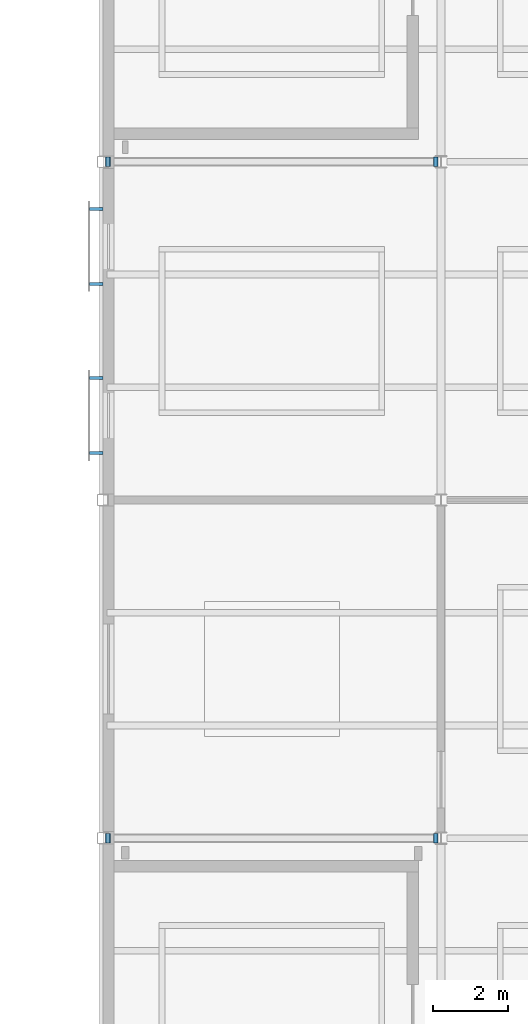
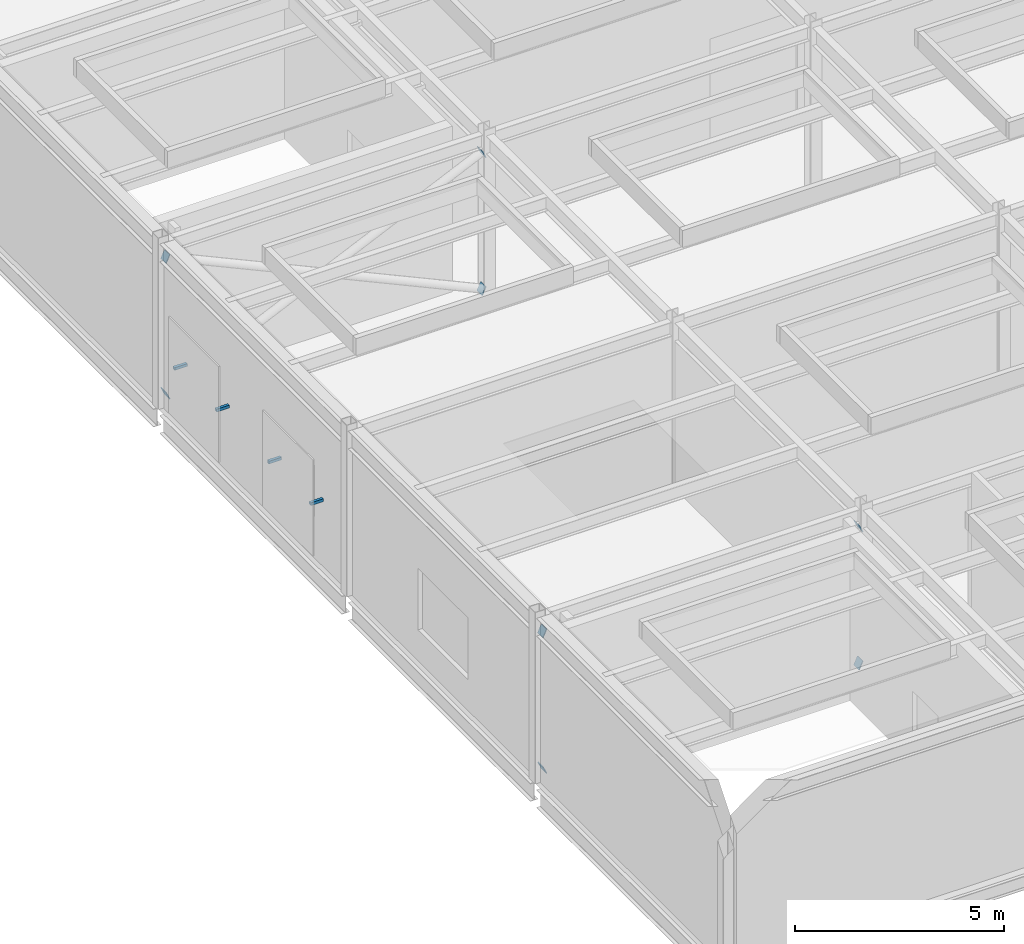
# One storey, part 95 of 115: 12 discrete accessories.
"""IFC4 building model written with IfcOpenShell, lengths in metres."""

import ifcopenshell
import ifcopenshell.guid

model = None  # the IFC model being written
_history = None  # IfcOwnerHistory: only IFC2X3 demands one
_inside = {}  # id of a spatial element -> (the spatial element, [elements in it])
_under = {}  # id of a project, library or spatial element -> (it, [spatial elements below it])
_declared = {}  # id of a project -> (the project, [libraries it declares])
_typed = {}  # id of a type object -> (the type object, [elements of that type])
_made_of = {}  # id of a material, layer set ... -> (it, [elements and type objects made of it])


def new_model(schema):
    """Start an empty IFC model of exactly this schema.

    Asked for "IFC4X3", IfcOpenShell would pick the latest addendum, in which some entities
    have other attributes; the version numbers below select the first issue.
    IFC2X3 requires an IfcOwnerHistory on every rooted entity: one is made here for all.
    """
    global model, _history
    if schema == "IFC4X3":
        model = ifcopenshell.file(schema_version=(4, 3, 0, 0))
    else:
        model = ifcopenshell.file(schema=schema)
    _inside.clear()
    _under.clear()
    _declared.clear()
    _typed.clear()
    _made_of.clear()
    _history = None
    if model.schema == "IFC2X3":
        org = make("IfcOrganization", Name="unknown")
        user = make(
            "IfcPersonAndOrganization",
            ThePerson=make("IfcPerson", FamilyName="unknown"),
            TheOrganization=org,
        )
        app = make(
            "IfcApplication",
            ApplicationDeveloper=org,
            Version="unknown",
            ApplicationFullName="unknown",
            ApplicationIdentifier="unknown",
        )
        _history = make(
            "IfcOwnerHistory",
            OwningUser=user,
            OwningApplication=app,
            ChangeAction="ADDED",
            CreationDate=0,
        )
    return model


def make(cls, **values):
    """One entity of the class cls with the attributes given. An attribute that is None is left unset."""
    return model.create_entity(
        cls, **{name: value for name, value in values.items() if value is not None}
    )


def rooted(cls, **values):
    """An entity with a GlobalId (a new one), such as an element, a storey or a relation."""
    return make(cls, GlobalId=ifcopenshell.guid.new(), OwnerHistory=_history, **values)


def si_unit(unit_type, name, prefix=None):
    """IfcSIUnit, for example si_unit("LENGTHUNIT", "METRE", prefix="MILLI")."""
    return make("IfcSIUnit", UnitType=unit_type, Prefix=prefix, Name=name)


def assignment(units):
    """IfcUnitAssignment: the units of a project."""
    return None if units is None else make("IfcUnitAssignment", Units=units)


def point(xyz):
    """IfcCartesianPoint."""
    return None if xyz is None else make("IfcCartesianPoint", Coordinates=xyz)


def direction(xyz):
    """IfcDirection."""
    return None if xyz is None else make("IfcDirection", DirectionRatios=xyz)


def frame(location, z_axis=None, x_axis=None):
    """IfcAxis2Placement3D, a coordinate frame: its origin and axes. An axis left out is left unset."""
    return make(
        "IfcAxis2Placement3D",
        Location=point(location),
        Axis=direction(z_axis),
        RefDirection=direction(x_axis),
    )


def frame_2d(location, x_axis=None):
    """IfcAxis2Placement2D, a coordinate frame in the plane: its origin and x axis."""
    return make(
        "IfcAxis2Placement2D", Location=point(location), RefDirection=direction(x_axis)
    )


def origin():
    """The frame at (0, 0, 0) with its axes left unset."""
    return frame((0.0, 0.0, 0.0))


def origin_2d():
    """The frame at (0, 0) in the plane with its x axis left unset."""
    return frame_2d((0.0, 0.0))


def place(relative_to, where):
    """IfcLocalPlacement: puts the frame where relative to a parent placement (None: the world)."""
    return make(
        "IfcLocalPlacement", PlacementRelTo=relative_to, RelativePlacement=where
    )


def context(
    kind, dimensions, precision=None, world=None, true_north=None, identifier=None
):
    """IfcGeometricRepresentationContext, for example the 3D "Model" context."""
    return make(
        "IfcGeometricRepresentationContext",
        ContextIdentifier=identifier,
        ContextType=kind,
        CoordinateSpaceDimension=dimensions,
        Precision=precision,
        WorldCoordinateSystem=world,
        TrueNorth=true_north,
    )


def subcontext(parent, identifier, kind, view, scale=None):
    """IfcGeometricRepresentationSubContext, for example "Body" below "Model"."""
    return make(
        "IfcGeometricRepresentationSubContext",
        ContextIdentifier=identifier,
        ContextType=kind,
        ParentContext=parent,
        TargetScale=scale,
        TargetView=view,
    )


def project(units=None, contexts=None):
    """IfcProject with its units and contexts."""
    return rooted(
        "IfcProject",
        Name="project",
        RepresentationContexts=contexts,
        UnitsInContext=assignment(units),
    )


def spatial(cls, under=None, at=None, **own):
    """A site, building, storey or space (cls), placed at a placement, below another one or the project."""
    s = rooted(cls, ObjectPlacement=at, **own)
    if under is not None:
        _under.setdefault(under.id(), (under, []))[1].append(s)
    return s


def polyline(points):
    """IfcPolyline through the points."""
    return make("IfcPolyline", Points=[point(p) for p in points])


def profile(cls, at=None, kind="AREA", **sizes):
    """A parametric profile (cls). Its sizes go by their IFC names, for example OverallWidth=200.0."""
    return make(cls, ProfileType=kind, Position=at, **sizes)


def rectangle(**sizes):
    """IfcRectangleProfileDef."""
    return profile("IfcRectangleProfileDef", **sizes)


def outline(outer, holes=None, kind="AREA"):
    """IfcArbitraryClosedProfileDef: a profile drawn as a closed curve; with holes, ...WithVoids."""
    if holes is None:
        return make("IfcArbitraryClosedProfileDef", ProfileType=kind, OuterCurve=outer)
    return make(
        "IfcArbitraryProfileDefWithVoids",
        ProfileType=kind,
        OuterCurve=outer,
        InnerCurves=holes,
    )


def extrude(swept, where, along, depth):
    """IfcExtrudedAreaSolid: the profile swept, set in the frame where, extruded along a direction by depth."""
    return make(
        "IfcExtrudedAreaSolid",
        SweptArea=swept,
        Position=where,
        ExtrudedDirection=direction(along),
        Depth=depth,
    )


def shape(context_of_items, identifier, shape_type, items):
    """IfcShapeRepresentation: the items that make up one representation, for example the "Body"."""
    return make(
        "IfcShapeRepresentation",
        ContextOfItems=context_of_items,
        RepresentationIdentifier=identifier,
        RepresentationType=shape_type,
        Items=items,
    )


def material(Name=None, Category=None):
    """IfcMaterial."""
    return make("IfcMaterial", Name=Name, Category=Category)


def layer(
    of_material, thickness, ventilated=None, Name=None, Category=None, Priority=None
):
    """IfcMaterialLayer: one layer of a wall or slab, of a material (None: an air gap)."""
    return make(
        "IfcMaterialLayer",
        Material=of_material,
        LayerThickness=thickness,
        IsVentilated=ventilated,
        Name=Name,
        Category=Category,
        Priority=Priority,
    )


def layer_set(layers, Name=None):
    """IfcMaterialLayerSet."""
    return make("IfcMaterialLayerSet", MaterialLayers=layers, LayerSetName=Name)


def made_of(thing, what):
    """Note that an element or type object is made of a material, layer set ...; save() writes the relation."""
    if what is not None:
        _made_of.setdefault(what.id(), (what, []))[1].append(thing)
    return thing


def type_object(cls, material=None, **own):
    """A type object (cls), such as IfcWallType, which elements share."""
    return made_of(rooted(cls, **own), material)


def element(
    cls,
    number,
    at=None,
    inside=None,
    cuts=None,
    type_object=None,
    material=None,
    context=None,
    identifier="Body",
    shape_type=None,
    held_by="IfcProductDefinitionShape",
    body=None,
    shapes=None,
    **own,
):
    """One element of the class cls, such as IfcWall. Its Tag is "e" and its number.

    at: its placement. inside: the storey or other place that contains it. cuts: it is an
    opening in that element (IfcRelVoidsElement). A single representation is given by context,
    identifier, shape_type and body (its items); several are given by shapes. held_by: the class
    of the entity that holds the representations. save() writes the other relations.
    """
    e = rooted(cls, Tag="e%d" % number, ObjectPlacement=at, **own)
    if body is not None:
        shapes = [shape(context, identifier, shape_type, body)]
    if shapes is not None:
        e.Representation = make(held_by, Representations=shapes)
    if inside is not None:
        _inside.setdefault(inside.id(), (inside, []))[1].append(e)
    if cuts is not None:
        rooted(
            "IfcRelVoidsElement", RelatingBuildingElement=cuts, RelatedOpeningElement=e
        )
    if type_object is not None:
        _typed.setdefault(type_object.id(), (type_object, []))[1].append(e)
    return made_of(e, material)


def aggregate(whole, parts):
    """IfcRelAggregates: a whole, such as a stair, and the parts it consists of."""
    return rooted("IfcRelAggregates", RelatingObject=whole, RelatedObjects=parts)


def save(model, path):
    """Write the relations noted so far, then the file.

    IfcRelAggregates (storeys below a building ...), IfcRelContainedInSpatialStructure (elements
    in a storey), IfcRelDefinesByType, IfcRelAssociatesMaterial and IfcRelDeclares: one each for
    every whole, place, type object, material and project.
    """
    for whole, parts in _under.values():
        aggregate(whole, parts)
    for where, things in _inside.values():
        rooted(
            "IfcRelContainedInSpatialStructure",
            RelatedElements=things,
            RelatingStructure=where,
        )
    for kind, things in _typed.values():
        rooted("IfcRelDefinesByType", RelatedObjects=things, RelatingType=kind)
    for what, things in _made_of.values():
        rooted("IfcRelAssociatesMaterial", RelatedObjects=things, RelatingMaterial=what)
    for by, libraries in _declared.values():
        rooted("IfcRelDeclares", RelatingContext=by, RelatedDefinitions=libraries)
    model.write(path)


model = new_model("IFC4")

# Units and contexts
model_context = context("Model", 3, precision=1e-05, world=origin(), true_north=direction((0.0, 1.0)))
body_context = subcontext(model_context, "Body", "Model", "MODEL_VIEW")
ifc_project = project(units=[si_unit("LENGTHUNIT", "METRE"), si_unit("AREAUNIT", "SQUARE_METRE"), si_unit("VOLUMEUNIT", "CUBIC_METRE"), si_unit("PLANEANGLEUNIT", "RADIAN"), si_unit("MASSUNIT", "GRAM", prefix="KILO")], contexts=[model_context])

# Site, building, storey
site_placement = place(None, origin())
site = spatial("IfcSite", under=ifc_project, at=site_placement, CompositionType="ELEMENT")
building_placement = place(site_placement, origin())
building = spatial("IfcBuilding", under=site, at=building_placement, Name="Shorebreak Coast Museum", CompositionType="ELEMENT")
storey_placement = place(building_placement, frame((0.0, 0.0, 11.0)))
storey = spatial("IfcBuildingStorey", under=building, at=storey_placement, Name="L02", CompositionType="ELEMENT", Elevation=11.0)

# Discrete accessories
ifc_material_1 = material(Name="Steel Grade 300", Category="steel")
ifc_layer = layer(ifc_material_1, 0.02490234375)
ifc_layer_set = layer_set([ifc_layer], Name="Steel Grade 300")
discrete_accessory_type_1 = type_object("IfcDiscreteAccessoryType", Name="End plate 250 x 250 x 25", PredefinedType="BRACKET", material=ifc_layer_set)
discrete_accessory_1_placement = place(storey_placement, frame((54.201904296875, 8.875, 0.186279296875), z_axis=(0.909495559707, 0.0, 0.41571363566), x_axis=(0.0, 1.0, 0.0)))
element("IfcDiscreteAccessory", 1, at=discrete_accessory_1_placement, inside=storey, type_object=discrete_accessory_type_1, Name="End plate X-brace bay 13 L02 diagonal 1 end 1", PredefinedType="BRACKET", context=body_context, shape_type="SweptSolid", body=[
    extrude(outline(polyline([(0.0, 0.0), (0.25, 0.0), (0.25, 0.2501816089936223), (0.0, 0.2501816089936223), (0.0, 0.0)])), origin(), (0.0, 0.0, -1.0), 0.02490234375),
])
discrete_accessory_2_placement = place(storey_placement, frame((62.921142578125, 8.875, 4.171630859375), z_axis=(0.909864310999, 0.0, 0.41490593581), x_axis=(0.0, 1.0, 0.0)))
element("IfcDiscreteAccessory", 2, at=discrete_accessory_2_placement, inside=storey, type_object=discrete_accessory_type_1, Name="End plate X-brace bay 13 L02 diagonal 1 end 2", PredefinedType="BRACKET", context=body_context, shape_type="SweptSolid", body=[
    extrude(outline(polyline([(0.0, 0.0), (0.25, 0.0), (0.25, 0.2500802149829807), (0.0, 0.2500802149829807), (0.0, 0.0)])), origin(), (0.0, 0.0, -1.0), 0.02490234375),
])
for number, where, z_axis, x_axis, name in (
    (3, (62.79443359375, 9.125, 0.186279296875), (-0.909495559707, 0.0, 0.41571363566), (0.0, -1.0, 0.0), "End plate X-brace bay 13 L02 diagonal 2 end 1"),
    (4, (54.0751953125, 9.125, 4.171630859375), (-0.909495559707, 0.0, 0.41571363566), (0.0, -1.0, 0.0), "End plate X-brace bay 13 L02 diagonal 2 end 2"),
    (5, (54.201904296875, 26.875, 0.186279296875), (0.909495559707, 0.0, 0.41571363566), (0.0, 1.0, 0.0), "End plate X-brace bay 15 L02 diagonal 1 end 1"),
):
    element("IfcDiscreteAccessory", number, at=place(storey_placement, frame(where, z_axis=z_axis, x_axis=x_axis)), inside=storey, type_object=discrete_accessory_type_1, Name=name, PredefinedType="BRACKET", context=body_context, shape_type="SweptSolid", body=[
        extrude(outline(polyline([(0.0, 0.0), (0.25, 0.0), (0.25, 0.2501816089936223), (0.0, 0.2501816089936223), (0.0, 0.0)])), origin(), (0.0, 0.0, -1.0), 0.02490234375),
    ])
discrete_accessory_3_placement = place(storey_placement, frame((62.921142578125, 26.875, 4.171630859375), z_axis=(0.909864310999, 0.0, 0.41490593581), x_axis=(0.0, 1.0, 0.0)))
element("IfcDiscreteAccessory", 6, at=discrete_accessory_3_placement, inside=storey, type_object=discrete_accessory_type_1, Name="End plate X-brace bay 15 L02 diagonal 1 end 2", PredefinedType="BRACKET", context=body_context, shape_type="SweptSolid", body=[
    extrude(outline(polyline([(0.0, 0.0), (0.25, 0.0), (0.25, 0.2500802149829807), (0.0, 0.2500802149829807), (0.0, 0.0)])), origin(), (0.0, 0.0, -1.0), 0.02490234375),
])
for number, where, z_axis, x_axis, name in (
    (7, (62.79443359375, 27.125, 0.186279296875), (-0.909495559707, 0.0, 0.41571363566), (0.0, -1.0, 0.0), "End plate X-brace bay 15 L02 diagonal 2 end 1"),
    (8, (54.0751953125, 27.125, 4.171630859375), (-0.909495559707, 0.0, 0.41571363566), (0.0, -1.0, 0.0), "End plate X-brace bay 15 L02 diagonal 2 end 2"),
):
    element("IfcDiscreteAccessory", number, at=place(storey_placement, frame(where, z_axis=z_axis, x_axis=x_axis)), inside=storey, type_object=discrete_accessory_type_1, Name=name, PredefinedType="BRACKET", context=body_context, shape_type="SweptSolid", body=[
        extrude(outline(polyline([(0.0, 0.0), (0.25, 0.0), (0.25, 0.2501816089936223), (0.0, 0.2501816089936223), (0.0, 0.0)])), origin(), (0.0, 0.0, -1.0), 0.02490234375),
    ])
ifc_material_2 = material(Name="Aluminium", Category="aluminium")
discrete_accessory_type_2 = type_object("IfcDiscreteAccessoryType", Name="Fixing bracket 80 x 350", PredefinedType="BRACKET", material=ifc_material_2)
for number, where, z_axis, x_axis, name in (
    (9, (53.824951171875, 19.25, 1.909912109375), (0.0, 0.0, 1.0), (1.0, 0.0, 0.0), "Fixing bracket"),
    (10, (53.824951171875, 21.25, 1.909912109375), (0.0, 0.0, 1.0), (1.0, 0.0, 0.0), "Fixing bracket"),
    (11, (53.824951171875, 23.75, 1.909912109375), (0.0, 0.0, 1.0), (1.0, 0.0, 0.0), "Fixing bracket"),
    (12, (53.824951171875, 25.75, 1.909912109375), (0.0, 0.0, 1.0), (1.0, 0.0, 0.0), "Fixing bracket"),
):
    element("IfcDiscreteAccessory", number, at=place(storey_placement, frame(where, z_axis=z_axis, x_axis=x_axis)), inside=storey, type_object=discrete_accessory_type_2, Name=name, PredefinedType="BRACKET", context=body_context, shape_type="SweptSolid", body=[
        extrude(rectangle(XDim=0.35009765625, YDim=0.080078125, at=origin_2d()), origin(), (0.0, 0.0, 1.0), 0.080078125),
    ])

save(model, "model.ifc")
